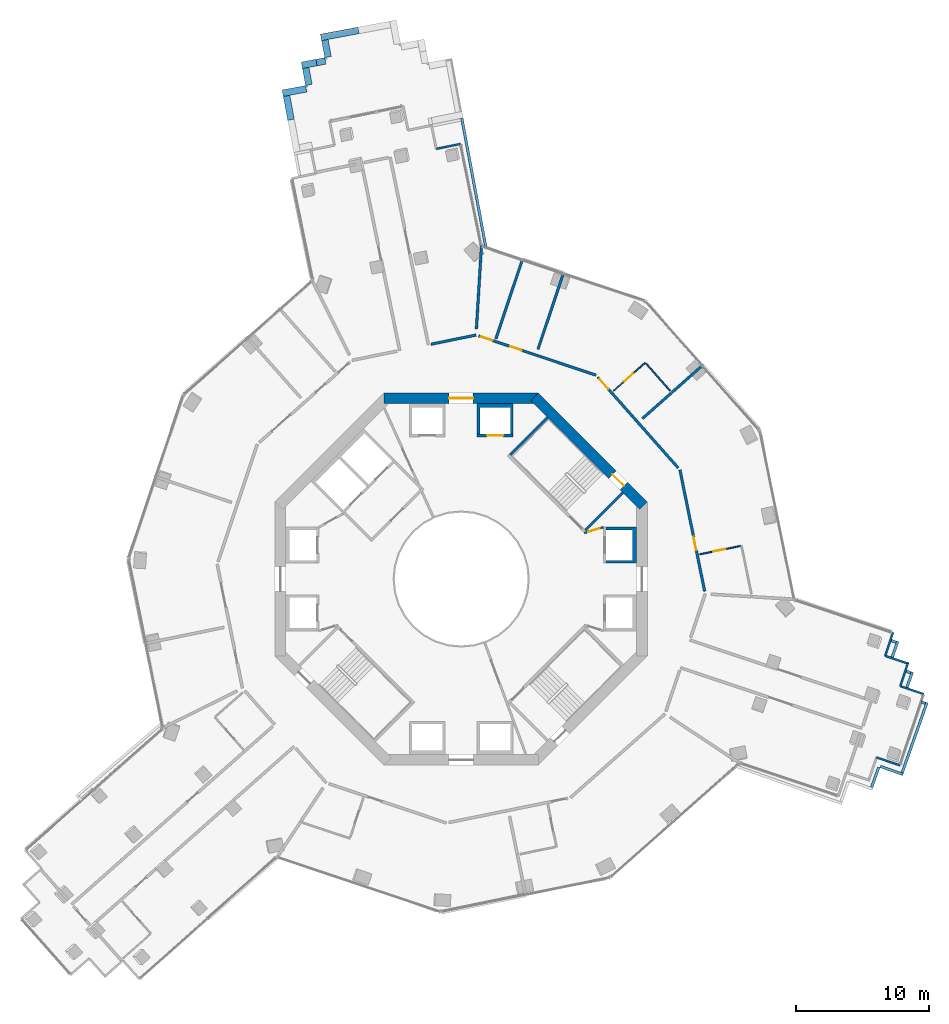
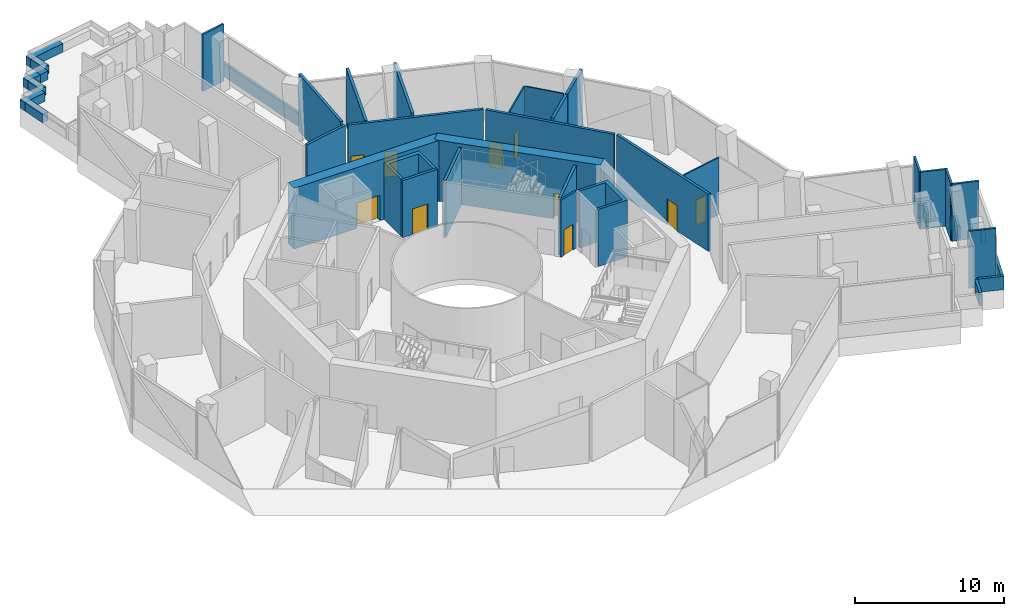
# One storey, part 13 of 20: 42 walls, 10 doors, 10 openings.
"""IFC4 building model written with IfcOpenShell, lengths in metres."""

from ifc_helpers import new_model, si_unit, direction, frame, frame_2d, origin, place, context, subcontext, project, spatial, polyline, rectangle, outline, extrude, material, layer, layer_set, type_object, element, fill, save


model = new_model("IFC4")

# Units and contexts
model_context = context("Model", 3, precision=1e-05, world=origin(), true_north=direction((0.0, 1.0)))
body_context = subcontext(model_context, "Body", "Model", "MODEL_VIEW")
ifc_project = project(units=[si_unit("LENGTHUNIT", "METRE"), si_unit("AREAUNIT", "SQUARE_METRE"), si_unit("VOLUMEUNIT", "CUBIC_METRE"), si_unit("PLANEANGLEUNIT", "RADIAN"), si_unit("MASSUNIT", "GRAM", prefix="KILO")], contexts=[model_context])

# Site, building, storey
site_placement = place(None, origin())
site = spatial("IfcSite", under=ifc_project, at=site_placement, CompositionType="ELEMENT")
building_placement = place(site_placement, origin())
building = spatial("IfcBuilding", under=site, at=building_placement, Name="Verdalira Terraces Hotel", CompositionType="ELEMENT")
storey_placement = place(building_placement, frame((0.0, 0.0, 81.0)))
storey = spatial("IfcBuildingStorey", under=building, at=storey_placement, Name="L18", CompositionType="ELEMENT", Elevation=81.0)

# Walls
ifc_material_1 = material(Name="Concrete C40", Category="concrete")
ifc_layer_1 = layer(ifc_material_1, 0.5)
ifc_layer_set_1 = layer_set([ifc_layer_1], Name="Balcony planter trough with tree")
wall_type_1 = type_object("IfcWallType", Name="Balcony planter trough with tree", PredefinedType="SOLIDWALL", material=ifc_layer_set_1)
wall_1_placement = place(storey_placement, frame((-7.726074, 41.26123, 0.0), z_axis=(0.0, 0.0, 1.0), x_axis=(-0.983058738, -0.183290799, 0.0)))
element("IfcWall", 1, at=wall_1_placement, inside=storey, type_object=wall_type_1, Name="Balcony planter", PredefinedType="SOLIDWALL", context=body_context, shape_type="SweptSolid", body=[
    extrude(rectangle(XDim=2.866455, YDim=0.5, at=frame_2d((1.433105, 0.0))), origin(), (0.0, 0.0, 1.0), 0.699951),
])
wall_2_placement = place(storey_placement, frame((-10.252441, 40.535889, 0.0), z_axis=(0.0, 0.0, 1.0), x_axis=(0.183279353, -0.983060872, 0.0)))
element("IfcWall", 2, at=wall_2_placement, inside=storey, type_object=wall_type_1, Name="Balcony planter", PredefinedType="SOLIDWALL", context=body_context, shape_type="SweptSolid", body=[
    extrude(rectangle(XDim=1.300049, YDim=0.5, at=frame_2d((0.649902, 0.0))), origin(), (0.0, 0.0, 1.0), 0.699951),
])
wall_3_placement = place(storey_placement, frame((-10.214111, 38.966309, 0.0), z_axis=(0.0, 0.0, 1.0), x_axis=(-0.983059199, -0.183288327, 0.0)))
element("IfcWall", 3, at=wall_3_placement, inside=storey, type_object=wall_type_1, Name="Balcony planter", PredefinedType="SOLIDWALL", context=body_context, shape_type="SweptSolid", body=[
    extrude(rectangle(XDim=0.677979, YDim=0.5, at=frame_2d((0.338867, 0.0))), origin(), (0.0, 0.0, 1.0), 0.699951),
])
wall_4_placement = place(storey_placement, frame((-10.880615, 38.842041, 0.0), z_axis=(0.0, 0.0, 1.0), x_axis=(-0.983073586, -0.183211146, 0.0)))
element("IfcWall", 4, at=wall_4_placement, inside=storey, type_object=wall_type_1, Name="Balcony planter", PredefinedType="SOLIDWALL", context=body_context, shape_type="SweptSolid", body=[
    extrude(rectangle(XDim=1.12207, YDim=0.5, at=frame_2d((0.561035, 0.0))), origin(), (0.0, 0.0, 1.0), 0.699951),
])
wall_5_placement = place(storey_placement, frame((-11.692139, 38.436523, 0.0), z_axis=(0.0, 0.0, 1.0), x_axis=(0.183279353, -0.983060872, 0.0)))
element("IfcWall", 5, at=wall_5_placement, inside=storey, type_object=wall_type_1, Name="Balcony planter", PredefinedType="SOLIDWALL", context=body_context, shape_type="SweptSolid", body=[
    extrude(rectangle(XDim=1.300049, YDim=0.5, at=frame_2d((0.649902, 0.0))), origin(), (0.0, 0.0, 1.0), 0.699951),
])
wall_6_placement = place(storey_placement, frame((-11.653809, 36.866943, 0.0), z_axis=(0.0, 0.0, 1.0), x_axis=(-0.983068168, -0.183240217, 0.0)))
element("IfcWall", 6, at=wall_6_placement, inside=storey, type_object=wall_type_1, Name="Balcony planter", PredefinedType="SOLIDWALL", context=body_context, shape_type="SweptSolid", body=[
    extrude(rectangle(XDim=1.800049, YDim=0.5, at=frame_2d((0.899902, 0.0))), origin(), (0.0, 0.0, 1.0), 0.699951),
])
wall_7_placement = place(storey_placement, frame((-13.131836, 36.337158, 0.0), z_axis=(0.0, 0.0, 1.0), x_axis=(0.183262709, -0.983063975, 0.0)))
element("IfcWall", 7, at=wall_7_placement, inside=storey, type_object=wall_type_1, Name="Balcony planter", PredefinedType="SOLIDWALL", context=body_context, shape_type="SweptSolid", body=[
    extrude(rectangle(XDim=1.825195, YDim=0.5, at=frame_2d((0.912598, 0.0))), origin(), (0.0, 0.0, 1.0), 0.699951),
])

# Wall, opening, door
ifc_material_2 = material(Name="Moisture-resistant gypsum board partition")
ifc_layer_2 = layer(ifc_material_2, 0.10009765625)
ifc_layer_set_2 = layer_set([ifc_layer_2], Name="Bathroom partition 100 mm")
wall_type_2 = type_object("IfcWallType", Name="Bathroom partition 100 mm", PredefinedType="PARTITIONING", material=ifc_layer_set_2)
wall_8_placement = place(storey_placement, frame((13.853027, 16.271484, 0.0), z_axis=(0.0, 0.0, 1.0), x_axis=(-0.748721252, -0.662884973, 0.0)))
wall_8 = element("IfcWall", 8, at=wall_8_placement, inside=storey, type_object=wall_type_2, Name="Bathroom partition", PredefinedType="PARTITIONING", context=body_context, shape_type="SweptSolid", body=[
    extrude(rectangle(XDim=3.199707, YDim=0.100098, at=frame_2d((1.599854, 0.0))), origin(), (0.0, 0.0, 1.0), 4.689941),
])
opening_1_placement = place(wall_8_placement, frame((1.25, 0.0, 0.0)))
opening_1 = element("IfcOpeningElement", 9, at=opening_1_placement, cuts=wall_8, Name="Opening L18-120", PredefinedType="OPENING", context=body_context, shape_type="SweptSolid", body=[
    extrude(rectangle(XDim=0.899902, YDim=2.100098, at=frame_2d((0.449951, 1.050049))), frame((0.0, 0.060059, 0.0), z_axis=(0.0, -1.0, 0.0), x_axis=(1.0, 0.0, 0.0)), (0.0, 0.0, 1.0), 0.120117),
])
ifc_material_3 = material(Name="Timber door", Category="wood")
door_type_1 = type_object("IfcDoorType", Name="Bathroom door 900 x 2100", OperationType="NOTDEFINED", PredefinedType="DOOR", material=ifc_material_3)
door_1_placement = place(opening_1_placement, origin())
door_1 = element("IfcDoor", 10, at=door_1_placement, inside=storey, type_object=door_type_1, Name="Bathroom door 1814", OperationType="SINGLE_SWING_LEFT", OverallHeight=2.10009765625, OverallWidth=0.89990234375, PredefinedType="DOOR", context=body_context, shape_type="SweptSolid", body=[
    extrude(rectangle(XDim=0.899902, YDim=2.100098, at=frame_2d((0.449951, 1.050049))), frame((0.0, 0.024902, 0.0), z_axis=(0.0, -1.0, 0.0), x_axis=(1.0, 0.0, 0.0)), (0.0, 0.0, 1.0), 0.050049),
])
fill(opening_1, door_1)

# Wall
wall_9_placement = place(storey_placement, frame((13.919434, 16.196777, 0.0), z_axis=(0.0, 0.0, 1.0), x_axis=(0.662897695, -0.748709987, 0.0)))
element("IfcWall", 11, at=wall_9_placement, inside=storey, type_object=wall_type_2, Name="Bathroom partition", PredefinedType="PARTITIONING", context=body_context, shape_type="SweptSolid", body=[
    extrude(rectangle(XDim=2.699951, YDim=0.100098, at=frame_2d((1.350098, 0.0))), origin(), (0.0, 0.0, 1.0), 4.689941),
])

# Wall, opening, door
wall_10_placement = place(storey_placement, frame((20.985352, 2.482666, 0.0), z_axis=(0.0, 0.0, 1.0), x_axis=(-0.979853152, -0.199719305, 0.0)))
wall_10 = element("IfcWall", 12, at=wall_10_placement, inside=storey, type_object=wall_type_2, Name="Bathroom partition", PredefinedType="PARTITIONING", context=body_context, shape_type="SweptSolid", body=[
    extrude(rectangle(XDim=3.100098, YDim=0.100098, at=frame_2d((1.550049, 0.0))), origin(), (0.0, 0.0, 1.0), 4.689941),
])
opening_2_placement = place(wall_10_placement, frame((1.149902, 0.0, 0.0)))
opening_2 = element("IfcOpeningElement", 13, at=opening_2_placement, cuts=wall_10, Name="Opening L18-118", PredefinedType="OPENING", context=body_context, shape_type="SweptSolid", body=[
    extrude(rectangle(XDim=0.899902, YDim=2.100098, at=frame_2d((0.449951, 1.050049))), frame((0.0, 0.060059, 0.0), z_axis=(0.0, -1.0, 0.0), x_axis=(1.0, 0.0, 0.0)), (0.0, 0.0, 1.0), 0.120117),
])
door_2_placement = place(opening_2_placement, origin())
door_2 = element("IfcDoor", 14, at=door_2_placement, inside=storey, type_object=door_type_1, Name="Bathroom door 1813", OperationType="SINGLE_SWING_LEFT", OverallHeight=2.10009765625, OverallWidth=0.89990234375, PredefinedType="DOOR", context=body_context, shape_type="SweptSolid", body=[
    extrude(rectangle(XDim=0.899902, YDim=2.100098, at=frame_2d((0.449951, 1.050049))), frame((0.0, 0.024902, 0.0), z_axis=(0.0, -1.0, 0.0), x_axis=(1.0, 0.0, 0.0)), (0.0, 0.0, 1.0), 0.050049),
])
fill(opening_2, door_2)

# Walls
ifc_material_4 = material(Name="Concrete C50", Category="concrete")
ifc_layer_3 = layer(ifc_material_4, 0.199951171875)
ifc_layer_set_3 = layer_set([ifc_layer_3], Name="Core RC wall 200 C50")
wall_type_3 = type_object("IfcWallType", Name="Core RC wall 200 C50", PredefinedType="SOLIDWALL", material=ifc_layer_set_3)
wall_11_placement = place(storey_placement, origin())
element("IfcWall", 15, at=wall_11_placement, inside=storey, type_object=wall_type_3, Name="L18 shaft wall E2", PredefinedType="SOLIDWALL", context=body_context, shape_type="SweptSolid", body=[
    extrude(outline(polyline([(13.199951, 3.899902), (13.199951, 1.199951), (10.899902, 1.199951), (10.899902, 1.399902), (12.899902, 1.399902), (12.899902, 3.699951), (10.899902, 3.699951), (10.899902, 3.899902), (13.199951, 3.899902)])), origin(), (0.0, 0.0, 1.0), 4.689941),
])
wall_12_placement = place(storey_placement, origin())
element("IfcWall", 16, at=wall_12_placement, inside=storey, type_object=wall_type_3, Name="L18 shaft wall N1", PredefinedType="SOLIDWALL", context=body_context, shape_type="SweptSolid", body=[
    extrude(outline(polyline([(3.899902, 13.199951), (3.899902, 10.899902), (3.699951, 10.899902), (3.699951, 12.899902), (1.399902, 12.899902), (1.399902, 10.899902), (1.199951, 10.899902), (1.199951, 13.199951), (3.899902, 13.199951)])), origin(), (0.0, 0.0, 1.0), 4.689941),
])

# Wall, opening, door
wall_13_placement = place(storey_placement, frame((1.199951, 10.800049, 0.0), z_axis=(0.0, 0.0, 1.0), x_axis=(1.0, 0.0, 0.0)))
wall_13 = element("IfcWall", 17, at=wall_13_placement, inside=storey, type_object=wall_type_3, Name="L18 shaft front wall N1", PredefinedType="SOLIDWALL", context=body_context, shape_type="SweptSolid", body=[
    extrude(rectangle(XDim=2.699951, YDim=0.199951, at=frame_2d((1.350098, 0.0))), origin(), (0.0, 0.0, 1.0), 4.689941),
])
opening_3_placement = place(wall_13_placement, frame((0.75, 0.0, 0.0)))
opening_3 = element("IfcOpeningElement", 18, at=opening_3_placement, cuts=wall_13, Name="Opening LD-L18-803", PredefinedType="OPENING", context=body_context, shape_type="SweptSolid", body=[
    extrude(rectangle(XDim=1.199951, YDim=2.100098, at=frame_2d((0.600098, 1.050049))), frame((0.0, 0.109863, 0.0), z_axis=(0.0, -1.0, 0.0), x_axis=(1.0, 0.0, 0.0)), (0.0, 0.0, 1.0), 0.219971),
])
ifc_material_5 = material(Name="Stainless steel", Category="steel")
door_type_2 = type_object("IfcDoorType", Name="Landing door 1200 x 2100", OperationType="NOTDEFINED", PredefinedType="DOOR", material=ifc_material_5)
door_3_placement = place(opening_3_placement, origin())
door_3 = element("IfcDoor", 19, at=door_3_placement, inside=storey, type_object=door_type_2, Name="Lift landing door LR3 L18", OperationType="DOUBLE_DOOR_SLIDING", OverallHeight=2.10009765625, OverallWidth=1.199951171875, PredefinedType="DOOR", context=body_context, shape_type="SweptSolid", body=[
    extrude(rectangle(XDim=1.199951, YDim=2.100098, at=frame_2d((0.600098, 1.050049))), frame((0.0, 0.024902, 0.0), z_axis=(0.0, -1.0, 0.0), x_axis=(1.0, 0.0, 0.0)), (0.0, 0.0, 1.0), 0.050049),
])
fill(opening_3, door_3)

# Walls
for number, where, z_axis, x_axis, name in (
    (20, (9.33374, 3.677002, 0.0), (0.0, 0.0, 1.0), (0.707106781, 0.707106781, 0.0), "L18 stair ST1 end wall 1"),
    (21, (3.677002, 9.33374, 0.0), (0.0, 0.0, 1.0), (0.707106781, 0.707106781, 0.0), "L18 stair ST1 end wall 2"),
):
    element("IfcWall", number, at=place(storey_placement, frame(where, z_axis=z_axis, x_axis=x_axis)), inside=storey, type_object=wall_type_3, Name=name, PredefinedType="SOLIDWALL", context=body_context, shape_type="SweptSolid", body=[
        extrude(rectangle(XDim=4.0, YDim=0.199951, at=frame_2d((2.0, 0.0))), origin(), (0.0, 0.0, 1.0), 4.689941),
    ])

# Wall, opening, door
ifc_material_6 = material(Name="Gypsum board partition")
ifc_layer_4 = layer(ifc_material_6, 0.14990234375)
ifc_layer_set_4 = layer_set([ifc_layer_4], Name="Core partition 150 mm")
wall_type_4 = type_object("IfcWallType", Name="Core partition 150 mm", PredefinedType="PARTITIONING", material=ifc_layer_set_4)
wall_14_placement = place(storey_placement, frame((10.699951, 3.899902, 0.0), z_axis=(0.0, 0.0, 1.0), x_axis=(-0.957084567, -0.289808785, 0.0)))
wall_14 = element("IfcWall", 22, at=wall_14_placement, inside=storey, type_object=wall_type_4, Name="Room partition L18", PredefinedType="PARTITIONING", context=body_context, shape_type="SweptSolid", body=[
    extrude(rectangle(XDim=1.501221, YDim=0.149902, at=frame_2d((0.750488, 0.0))), origin(), (0.0, 0.0, 1.0), 4.689941),
])
opening_4_placement = place(wall_14_placement, frame((0.300781, 0.0, 0.0)))
opening_4 = element("IfcOpeningElement", 23, at=opening_4_placement, cuts=wall_14, Name="Opening L18-820", PredefinedType="OPENING", context=body_context, shape_type="SweptSolid", body=[
    extrude(rectangle(XDim=0.899902, YDim=2.100098, at=frame_2d((0.449951, 1.050049))), frame((0.0, 0.084961, 0.0), z_axis=(0.0, -1.0, 0.0), x_axis=(1.0, 0.0, 0.0)), (0.0, 0.0, 1.0), 0.169922),
])
ifc_material_7 = material(Name="Steel fire door", Category="steel")
door_type_3 = type_object("IfcDoorType", Name="Core room door 900 x 2100", OperationType="NOTDEFINED", PredefinedType="DOOR", material=ifc_material_7)
door_4_placement = place(opening_4_placement, origin())
door_4 = element("IfcDoor", 24, at=door_4_placement, inside=storey, type_object=door_type_3, Name="Door L18 room0", OperationType="SINGLE_SWING_LEFT", OverallHeight=2.10009765625, OverallWidth=0.89990234375, PredefinedType="DOOR", context=body_context, shape_type="SweptSolid", body=[
    extrude(rectangle(XDim=0.899902, YDim=2.100098, at=frame_2d((0.449951, 1.050049))), frame((0.0, 0.024902, 0.0), z_axis=(0.0, -1.0, 0.0), x_axis=(1.0, 0.0, 0.0)), (0.0, 0.0, 1.0), 0.050049),
])
fill(opening_4, door_4)

ifc_material_8 = material(Name="Concrete C70", Category="concrete")
ifc_layer_5 = layer(ifc_material_8, 0.800048828125)
ifc_layer_set_5 = layer_set([ifc_layer_5], Name="Core wall 800 C70")
wall_type_5 = type_object("IfcWallType", Name="Core wall 800 C70", PredefinedType="SHEAR", material=ifc_layer_set_5)
wall_15_placement = place(storey_placement, frame((13.717285, 5.516113, 0.0), z_axis=(0.0, 0.0, 1.0), x_axis=(-0.707106781, 0.707106781, 0.0)))
wall_15 = element("IfcWall", 25, at=wall_15_placement, inside=storey, type_object=wall_type_5, Name="Core wall CW-L18-2", PredefinedType="SHEAR", context=body_context, shape_type="SweptSolid", body=[
    extrude(rectangle(XDim=11.598145, YDim=0.800049, at=frame_2d((5.799072, 0.0))), origin(), (0.0, 0.0, 1.0), 5.0),
])
opening_5_placement = place(wall_15_placement, frame((2.099121, 0.0, 0.0)))
opening_5 = element("IfcOpeningElement", 26, at=opening_5_placement, cuts=wall_15, Name="Opening L18-816", PredefinedType="OPENING", context=body_context, shape_type="SweptSolid", body=[
    extrude(rectangle(XDim=1.199951, YDim=2.100098, at=frame_2d((0.600098, 1.050049))), frame((0.0, 0.409912, 0.0), z_axis=(0.0, -1.0, 0.0), x_axis=(1.0, 0.0, 0.0)), (0.0, 0.0, 1.0), 0.820068),
])
ifc_material_9 = material(Name="Steel fire door", Category="steel")
door_type_4 = type_object("IfcDoorType", Name="Stair door 1200 x 2100", OperationType="NOTDEFINED", PredefinedType="DOOR", material=ifc_material_9)
door_5_placement = place(opening_5_placement, origin())
door_5 = element("IfcDoor", 27, at=door_5_placement, inside=storey, type_object=door_type_4, Name="Stair exit door ST1 L18", OperationType="SINGLE_SWING_LEFT", OverallHeight=2.10009765625, OverallWidth=1.199951171875, PredefinedType="DOOR", context=body_context, shape_type="SweptSolid", body=[
    extrude(rectangle(XDim=1.199951, YDim=2.100098, at=frame_2d((0.600098, 1.050049))), frame((0.0, 0.024902, 0.0), z_axis=(0.0, -1.0, 0.0), x_axis=(1.0, 0.0, 0.0)), (0.0, 0.0, 1.0), 0.050049),
])
fill(opening_5, door_5)

wall_16_placement = place(storey_placement, frame((5.799072, 13.600098, 0.0), z_axis=(0.0, 0.0, 1.0), x_axis=(-1.0, 0.0, 0.0)))
wall_16 = element("IfcWall", 28, at=wall_16_placement, inside=storey, type_object=wall_type_5, Name="Core wall CW-L18-3", PredefinedType="SHEAR", context=body_context, shape_type="SweptSolid", body=[
    extrude(rectangle(XDim=11.598145, YDim=0.800049, at=frame_2d((5.799072, 0.0))), origin(), (0.0, 0.0, 1.0), 5.0),
])
opening_6_placement = place(wall_16_placement, frame((4.898926, 0.0, 0.0)))
opening_6 = element("IfcOpeningElement", 29, at=opening_6_placement, cuts=wall_16, Name="Opening L18-813", PredefinedType="OPENING", context=body_context, shape_type="SweptSolid", body=[
    extrude(rectangle(XDim=1.800049, YDim=2.100098, at=frame_2d((0.899902, 1.050049))), frame((0.0, 0.409912, 0.0), z_axis=(0.0, -1.0, 0.0), x_axis=(1.0, 0.0, 0.0)), (0.0, 0.0, 1.0), 0.820068),
])
ifc_material_10 = material(Name="Steel fire door", Category="steel")
door_type_5 = type_object("IfcDoorType", Name="Core entry door pair 1800 x 2100", OperationType="NOTDEFINED", PredefinedType="DOOR", material=ifc_material_10)
door_6_placement = place(opening_6_placement, origin())
door_6 = element("IfcDoor", 30, at=door_6_placement, inside=storey, type_object=door_type_5, Name="Core entry door L18 2", OperationType="DOUBLE_DOOR_SINGLE_SWING", OverallHeight=2.10009765625, OverallWidth=1.800048828125, PredefinedType="DOOR", context=body_context, shape_type="SweptSolid", body=[
    extrude(rectangle(XDim=1.800049, YDim=2.100098, at=frame_2d((0.899902, 1.050049))), frame((0.0, 0.024902, 0.0), z_axis=(0.0, -1.0, 0.0), x_axis=(1.0, 0.0, 0.0)), (0.0, 0.0, 1.0), 0.050049),
])
fill(opening_6, door_6)

# Walls
ifc_material_11 = material(Name="Fire-rated gypsum board wall")
ifc_layer_6 = layer(ifc_material_11, 0.199951171875)
ifc_layer_set_6 = layer_set([ifc_layer_6], Name="Demising wall 200 mm")
wall_type_6 = type_object("IfcWallType", Name="Demising wall 200 mm", PredefinedType="SOLIDWALL", material=ifc_layer_set_6)
wall_17_placement = place(storey_placement, frame((13.631104, 12.068115, 0.0), z_axis=(0.0, 0.0, 1.0), x_axis=(0.748710935, 0.662896626, 0.0)))
element("IfcWall", 31, at=wall_17_placement, inside=storey, type_object=wall_type_6, Name="Demising wall", PredefinedType="SOLIDWALL", context=body_context, shape_type="SweptSolid", body=[
    extrude(rectangle(XDim=2.904785, YDim=0.199951, at=frame_2d((1.452393, 0.0))), origin(), (0.0, 0.0, 1.0), 4.689941),
])
wall_18_placement = place(storey_placement, frame((15.840332, 14.02417, 0.0), z_axis=(0.0, 0.0, 1.0), x_axis=(0.74873661, 0.662867626, 0.0)))
element("IfcWall", 32, at=wall_18_placement, inside=storey, type_object=wall_type_6, Name="Demising wall", PredefinedType="SOLIDWALL", context=body_context, shape_type="SweptSolid", body=[
    extrude(rectangle(XDim=3.101807, YDim=0.199951, at=frame_2d((1.550781, 0.0))), origin(), (0.0, 0.0, 1.0), 4.689941),
])
ifc_material_12 = material(Name="Fire-rated gypsum board wall")
ifc_layer_7 = layer(ifc_material_12, 0.199951171875)
ifc_layer_set_7 = layer_set([ifc_layer_7], Name="Guest corridor wall 200 mm")
wall_type_7 = type_object("IfcWallType", Name="Guest corridor wall 200 mm", PredefinedType="SOLIDWALL", material=ifc_layer_set_7)
wall_19_placement = place(storey_placement, frame((1.115967, 18.35083, 0.0), z_axis=(0.0, 0.0, 1.0), x_axis=(-0.979854553, -0.19971243, 0.0)))
element("IfcWall", 33, at=wall_19_placement, inside=storey, type_object=wall_type_7, Name="Guest corridor wall", PredefinedType="SOLIDWALL", context=body_context, shape_type="SweptSolid", body=[
    extrude(rectangle(XDim=3.458252, YDim=0.199951, at=frame_2d((1.729004, 0.0))), origin(), (0.0, 0.0, 1.0), 4.689941),
])

# Wall, openings, doors
wall_20_placement = place(storey_placement, frame((1.305664, 18.287598, 0.0), z_axis=(0.0, 0.0, 1.0), x_axis=(0.948428791, -0.316990264, 0.0)))
wall_20 = element("IfcWall", 34, at=wall_20_placement, inside=storey, type_object=wall_type_7, Name="Guest corridor wall", PredefinedType="SOLIDWALL", context=body_context, shape_type="SweptSolid", body=[
    extrude(rectangle(XDim=9.316162, YDim=0.199951, at=frame_2d((4.658203, 0.0))), origin(), (0.0, 0.0, 1.0), 4.689941),
])
opening_7_placement = place(wall_20_placement, frame((2.508301, 0.0, 0.0)))
opening_7 = element("IfcOpeningElement", 35, at=opening_7_placement, cuts=wall_20, Name="Opening L18-121", PredefinedType="OPENING", context=body_context, shape_type="SweptSolid", body=[
    extrude(rectangle(XDim=0.899902, YDim=2.100098, at=frame_2d((0.449951, 1.050049))), frame((0.0, 0.109863, 0.0), z_axis=(0.0, -1.0, 0.0), x_axis=(1.0, 0.0, 0.0)), (0.0, 0.0, 1.0), 0.219971),
])
opening_8_placement = place(wall_20_placement, frame((0.199951, 0.0, 0.0)))
opening_8 = element("IfcOpeningElement", 36, at=opening_8_placement, cuts=wall_20, Name="Opening L18-122", PredefinedType="OPENING", context=body_context, shape_type="SweptSolid", body=[
    extrude(rectangle(XDim=0.899902, YDim=2.100098, at=frame_2d((0.449951, 1.050049))), frame((0.0, 0.109863, 0.0), z_axis=(0.0, -1.0, 0.0), x_axis=(1.0, 0.0, 0.0)), (0.0, 0.0, 1.0), 0.219971),
])
ifc_material_13 = material(Name="Timber fire door", Category="wood")
door_type_6 = type_object("IfcDoorType", Name="Toilet door 900 x 2100", OperationType="NOTDEFINED", PredefinedType="DOOR", material=ifc_material_13)
door_7_placement = place(opening_7_placement, origin())
door_7 = element("IfcDoor", 37, at=door_7_placement, inside=storey, type_object=door_type_6, Name="Toilet door 1815", OperationType="SINGLE_SWING_LEFT", OverallHeight=2.10009765625, OverallWidth=0.89990234375, PredefinedType="DOOR", context=body_context, shape_type="SweptSolid", body=[
    extrude(rectangle(XDim=0.899902, YDim=2.100098, at=frame_2d((0.449951, 1.050049))), frame((0.0, 0.024902, 0.0), z_axis=(0.0, -1.0, 0.0), x_axis=(1.0, 0.0, 0.0)), (0.0, 0.0, 1.0), 0.050049),
])
fill(opening_7, door_7)
door_8_placement = place(opening_8_placement, origin())
door_8 = element("IfcDoor", 38, at=door_8_placement, inside=storey, type_object=door_type_6, Name="Toilet door 1816", OperationType="SINGLE_SWING_LEFT", OverallHeight=2.10009765625, OverallWidth=0.89990234375, PredefinedType="DOOR", context=body_context, shape_type="SweptSolid", body=[
    extrude(rectangle(XDim=0.899902, YDim=2.100098, at=frame_2d((0.449951, 1.050049))), frame((0.0, 0.024902, 0.0), z_axis=(0.0, -1.0, 0.0), x_axis=(1.0, 0.0, 0.0)), (0.0, 0.0, 1.0), 0.050049),
])
fill(opening_8, door_8)

# Wall, opening, door
wall_21_placement = place(storey_placement, frame((10.274902, 15.184082, 0.0), z_axis=(0.0, 0.0, 1.0), x_axis=(0.662882999, -0.748722999, 0.0)))
wall_21 = element("IfcWall", 39, at=wall_21_placement, inside=storey, type_object=wall_type_7, Name="Guest corridor wall", PredefinedType="SOLIDWALL", context=body_context, shape_type="SweptSolid", body=[
    extrude(rectangle(XDim=9.115479, YDim=0.199951, at=frame_2d((4.557617, 0.0))), origin(), (0.0, 0.0, 1.0), 4.689941),
])
opening_9_placement = place(wall_21_placement, frame((0.199951, 0.0, 0.0)))
opening_9 = element("IfcOpeningElement", 40, at=opening_9_placement, cuts=wall_21, Name="Opening L18-119", PredefinedType="OPENING", context=body_context, shape_type="SweptSolid", body=[
    extrude(rectangle(XDim=1.0, YDim=2.100098, at=frame_2d((0.5, 1.050049))), frame((0.0, 0.109863, 0.0), z_axis=(0.0, -1.0, 0.0), x_axis=(1.0, 0.0, 0.0)), (0.0, 0.0, 1.0), 0.219971),
])
ifc_material_14 = material(Name="Timber fire door", Category="wood")
door_type_7 = type_object("IfcDoorType", Name="Guest entry door 1000 x 2100", OperationType="NOTDEFINED", PredefinedType="DOOR", material=ifc_material_14)
door_9_placement = place(opening_9_placement, origin())
door_9 = element("IfcDoor", 41, at=door_9_placement, inside=storey, type_object=door_type_7, Name="Guest entry door 1814", OperationType="SINGLE_SWING_LEFT", OverallHeight=2.10009765625, OverallWidth=1.0, PredefinedType="DOOR", context=body_context, shape_type="SweptSolid", body=[
    extrude(rectangle(XDim=1.0, YDim=2.100098, at=frame_2d((0.5, 1.050049))), frame((0.0, 0.024902, 0.0), z_axis=(0.0, -1.0, 0.0), x_axis=(1.0, 0.0, 0.0)), (0.0, 0.0, 1.0), 0.050049),
])
fill(opening_9, door_9)

wall_22_placement = place(storey_placement, frame((16.450439, 8.208496, 0.0), z_axis=(0.0, 0.0, 1.0), x_axis=(0.199693015, -0.97985851, 0.0)))
wall_22 = element("IfcWall", 42, at=wall_22_placement, inside=storey, type_object=wall_type_7, Name="Guest corridor wall", PredefinedType="SOLIDWALL", context=body_context, shape_type="SweptSolid", body=[
    extrude(rectangle(XDim=9.316162, YDim=0.199951, at=frame_2d((4.658203, 0.0))), origin(), (0.0, 0.0, 1.0), 4.689941),
])
opening_10_placement = place(wall_22_placement, frame((5.149902, 0.0, 0.0)))
opening_10 = element("IfcOpeningElement", 43, at=opening_10_placement, cuts=wall_22, Name="Opening L18-117", PredefinedType="OPENING", context=body_context, shape_type="SweptSolid", body=[
    extrude(rectangle(XDim=1.0, YDim=2.100098, at=frame_2d((0.5, 1.050049))), frame((0.0, 0.109863, 0.0), z_axis=(0.0, -1.0, 0.0), x_axis=(1.0, 0.0, 0.0)), (0.0, 0.0, 1.0), 0.219971),
])
door_10_placement = place(opening_10_placement, origin())
door_10 = element("IfcDoor", 44, at=door_10_placement, inside=storey, type_object=door_type_7, Name="Guest entry door 1813", OperationType="SINGLE_SWING_LEFT", OverallHeight=2.10009765625, OverallWidth=1.0, PredefinedType="DOOR", context=body_context, shape_type="SweptSolid", body=[
    extrude(rectangle(XDim=1.0, YDim=2.100098, at=frame_2d((0.5, 1.050049))), frame((0.0, 0.024902, 0.0), z_axis=(0.0, -1.0, 0.0), x_axis=(1.0, 0.0, 0.0)), (0.0, 0.0, 1.0), 0.050049),
])
fill(opening_10, door_10)

# Walls
ifc_material_15 = material(Name="Fire-rated gypsum board wall")
ifc_layer_8 = layer(ifc_material_15, 0.199951171875)
ifc_layer_set_8 = layer_set([ifc_layer_8], Name="Service room wall 200 mm")
wall_type_8 = type_object("IfcWallType", Name="Service room wall 200 mm", PredefinedType="SOLIDWALL", material=ifc_layer_set_8)
wall_23_placement = place(storey_placement, frame((1.524414, 25.067627, 0.0), z_axis=(0.0, 0.0, 1.0), x_axis=(-0.060706271, -0.998155674, 0.0)))
element("IfcWall", 45, at=wall_23_placement, inside=storey, type_object=wall_type_8, Name="Service room wall", PredefinedType="SOLIDWALL", context=body_context, shape_type="SweptSolid", body=[
    extrude(rectangle(XDim=6.281738, YDim=0.199951, at=frame_2d((3.140869, 0.0))), origin(), (0.0, 0.0, 1.0), 4.689941),
])
wall_24_placement = place(storey_placement, frame((2.609863, 18.0625, 0.0), z_axis=(0.0, 0.0, 1.0), x_axis=(0.316960102, 0.948438872, 0.0)))
element("IfcWall", 46, at=wall_24_placement, inside=storey, type_object=wall_type_8, Name="Service room wall", PredefinedType="SOLIDWALL", context=body_context, shape_type="SweptSolid", body=[
    extrude(rectangle(XDim=6.300049, YDim=0.199951, at=frame_2d((3.149902, 0.0))), origin(), (0.0, 0.0, 1.0), 4.689941),
])
wall_25_placement = place(storey_placement, frame((7.689209, 23.007324, 0.0), z_axis=(0.0, 0.0, 1.0), x_axis=(-0.316965832, -0.948436957, 0.0)))
element("IfcWall", 47, at=wall_25_placement, inside=storey, type_object=wall_type_8, Name="Service room wall", PredefinedType="SOLIDWALL", context=body_context, shape_type="SweptSolid", body=[
    extrude(rectangle(XDim=6.05249, YDim=0.199951, at=frame_2d((3.026367, 0.0))), origin(), (0.0, 0.0, 1.0), 4.689941),
])
ifc_material_16 = material(Name="Terracotta cladding", Category="masonry")
ifc_layer_9 = layer(ifc_material_16, 0.199951171875)
ifc_layer_set_9 = layer_set([ifc_layer_9], Name="Terracotta clad parapet 200")
wall_type_9 = type_object("IfcWallType", Name="Terracotta clad parapet 200", PredefinedType="PARAPET", material=ifc_layer_set_9)
wall_26_placement = place(storey_placement, frame((1.85498, 24.97168, 0.0), z_axis=(0.0, 0.0, 1.0), x_axis=(-0.183261306, 0.983064237, 0.0)))
element("IfcWall", 48, at=wall_26_placement, inside=storey, type_object=wall_type_9, Name="Terracotta clad parapet", PredefinedType="PARAPET", context=body_context, shape_type="SweptSolid", body=[
    extrude(rectangle(XDim=9.844971, YDim=0.199951, at=frame_2d((4.922363, 0.0))), origin(), (0.0, 0.0, 1.0), 1.100098),
])
wall_27_placement = place(storey_placement, frame((30.873535, -15.668457, 0.0), z_axis=(0.0, 0.0, 1.0), x_axis=(0.332796173, 0.942998784, 0.0)))
element("IfcWall", 49, at=wall_27_placement, inside=storey, type_object=wall_type_9, Name="Terracotta clad parapet", PredefinedType="PARAPET", context=body_context, shape_type="SweptSolid", body=[
    extrude(rectangle(XDim=1.600098, YDim=0.199951, at=frame_2d((0.800049, 0.0))), origin(), (0.0, 0.0, 1.0), 1.100098),
])
wall_28_placement = place(storey_placement, frame((31.533691, -14.098877, 0.0), z_axis=(0.0, 0.0, 1.0), x_axis=(0.943017877, -0.332742067, 0.0)))
element("IfcWall", 50, at=wall_28_placement, inside=storey, type_object=wall_type_9, Name="Terracotta clad parapet", PredefinedType="PARAPET", context=body_context, shape_type="SweptSolid", body=[
    extrude(rectangle(XDim=1.799805, YDim=0.199951, at=frame_2d((0.899902, 0.0))), origin(), (0.0, 0.0, 1.0), 1.100098),
])
wall_29_placement = place(storey_placement, frame((33.169922, -14.570312, 0.0), z_axis=(0.0, 0.0, 1.0), x_axis=(0.332815557, 0.942991943, 0.0)))
element("IfcWall", 51, at=wall_29_placement, inside=storey, type_object=wall_type_9, Name="Terracotta clad parapet", PredefinedType="PARAPET", context=body_context, shape_type="SweptSolid", body=[
    extrude(rectangle(XDim=5.600098, YDim=0.199951, at=frame_2d((2.800049, 0.0))), origin(), (0.0, 0.0, 1.0), 1.100098),
])
wall_30_placement = place(storey_placement, frame((34.90625, -9.350586, 0.0), z_axis=(0.0, 0.0, 1.0), x_axis=(-0.943032686, 0.332700096, 0.0)))
element("IfcWall", 52, at=wall_30_placement, inside=storey, type_object=wall_type_9, Name="Terracotta clad parapet", PredefinedType="PARAPET", context=body_context, shape_type="SweptSolid", body=[
    extrude(rectangle(XDim=0.319092, YDim=0.199951, at=frame_2d((0.159668, 0.0))), origin(), (0.0, 0.0, 1.0), 1.100098),
])
wall_31_placement = place(storey_placement, frame((33.52832, -8.146729, 0.0), z_axis=(0.0, 0.0, 1.0), x_axis=(0.332882751, 0.942968225, 0.0)))
element("IfcWall", 53, at=wall_31_placement, inside=storey, type_object=wall_type_9, Name="Terracotta clad parapet", PredefinedType="PARAPET", context=body_context, shape_type="SweptSolid", body=[
    extrude(rectangle(XDim=1.223389, YDim=0.199951, at=frame_2d((0.611816, 0.0))), origin(), (0.0, 0.0, 1.0), 1.100098),
])
wall_32_placement = place(storey_placement, frame((33.807861, -7.053955, 0.0), z_axis=(0.0, 0.0, 1.0), x_axis=(-0.943093464, 0.33252777, 0.0)))
element("IfcWall", 54, at=wall_32_placement, inside=storey, type_object=wall_type_9, Name="Terracotta clad parapet", PredefinedType="PARAPET", context=body_context, shape_type="SweptSolid", body=[
    extrude(rectangle(XDim=0.349365, YDim=0.199951, at=frame_2d((0.174805, 0.0))), origin(), (0.0, 0.0, 1.0), 1.100098),
])
wall_33_placement = place(storey_placement, frame((32.420166, -5.878418, 0.0), z_axis=(0.0, 0.0, 1.0), x_axis=(0.33271822, 0.943026291, 0.0)))
element("IfcWall", 55, at=wall_33_placement, inside=storey, type_object=wall_type_9, Name="Terracotta clad parapet", PredefinedType="PARAPET", context=body_context, shape_type="SweptSolid", body=[
    extrude(rectangle(XDim=1.253174, YDim=0.199951, at=frame_2d((0.626465, 0.0))), origin(), (0.0, 0.0, 1.0), 1.100098),
])
wall_34_placement = place(storey_placement, frame((32.709473, -4.757568, 0.0), z_axis=(0.0, 0.0, 1.0), x_axis=(-0.942942858, 0.332954602, 0.0)))
element("IfcWall", 56, at=wall_34_placement, inside=storey, type_object=wall_type_9, Name="Terracotta clad parapet", PredefinedType="PARAPET", context=body_context, shape_type="SweptSolid", body=[
    extrude(rectangle(XDim=0.379883, YDim=0.199951, at=frame_2d((0.189941, 0.0))), origin(), (0.0, 0.0, 1.0), 1.100098),
])
ifc_material_17 = material(Name="Terracotta cladding", Category="masonry")
ifc_layer_10 = layer(ifc_material_17, 0.14990234375)
ifc_layer_set_10 = layer_set([ifc_layer_10], Name="Terracotta clad wall 150")
wall_type_10 = type_object("IfcWallType", Name="Terracotta clad wall 150", PredefinedType="SOLIDWALL", material=ifc_layer_set_10)
for number, where, z_axis, x_axis, name in (
    (57, (-0.036621, 32.727051, 0.0), (0.0, 0.0, 1.0), (-0.979847769, -0.199745711, 0.0), "Terracotta cladding wall"),
    (58, (31.232666, -13.416748, 0.0), (0.0, 0.0, 1.0), (0.948409514, -0.317047936, 0.0), "Terracotta cladding wall"),
    (59, (34.802002, -8.652588, 0.0), (0.0, 0.0, 1.0), (-0.948409514, 0.317047936, 0.0), "Terracotta cladding wall"),
):
    element("IfcWall", number, at=place(storey_placement, frame(where, z_axis=z_axis, x_axis=x_axis)), inside=storey, type_object=wall_type_10, Name=name, PredefinedType="SOLIDWALL", context=body_context, shape_type="SweptSolid", body=[
        extrude(rectangle(XDim=1.875, YDim=0.149902, at=frame_2d((0.9375, 0.0))), origin(), (0.0, 0.0, 1.0), 4.689941),
    ])
wall_35_placement = place(storey_placement, frame((33.023682, -8.058105, 0.0), z_axis=(0.0, 0.0, 1.0), x_axis=(0.317000834, 0.948425259, 0.0)))
element("IfcWall", 60, at=wall_35_placement, inside=storey, type_object=wall_type_10, Name="Terracotta cladding wall", PredefinedType="SOLIDWALL", context=body_context, shape_type="SweptSolid", body=[
    extrude(rectangle(XDim=1.799805, YDim=0.149902, at=frame_2d((0.899902, 0.0))), origin(), (0.0, 0.0, 1.0), 4.689941),
])
for number, where, z_axis, x_axis, name in (
    (61, (33.665283, -6.374756, 0.0), (0.0, 0.0, 1.0), (-0.94844866, 0.316930812, 0.0), "Terracotta cladding wall"),
    (62, (31.886963, -5.780518, 0.0), (0.0, 0.0, 1.0), (0.317047936, 0.948409514, 0.0), "Terracotta cladding wall"),
):
    element("IfcWall", number, at=place(storey_placement, frame(where, z_axis=z_axis, x_axis=x_axis)), inside=storey, type_object=wall_type_10, Name=name, PredefinedType="SOLIDWALL", context=body_context, shape_type="SweptSolid", body=[
        extrude(rectangle(XDim=1.875, YDim=0.149902, at=frame_2d((0.9375, 0.0))), origin(), (0.0, 0.0, 1.0), 4.689941),
    ])

save(model, "model.ifc")
